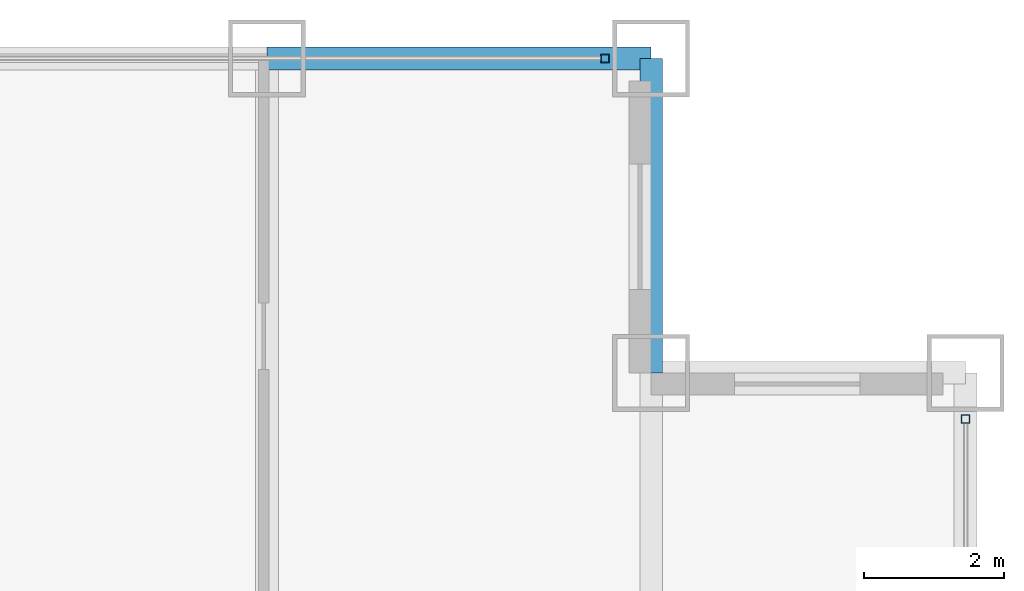
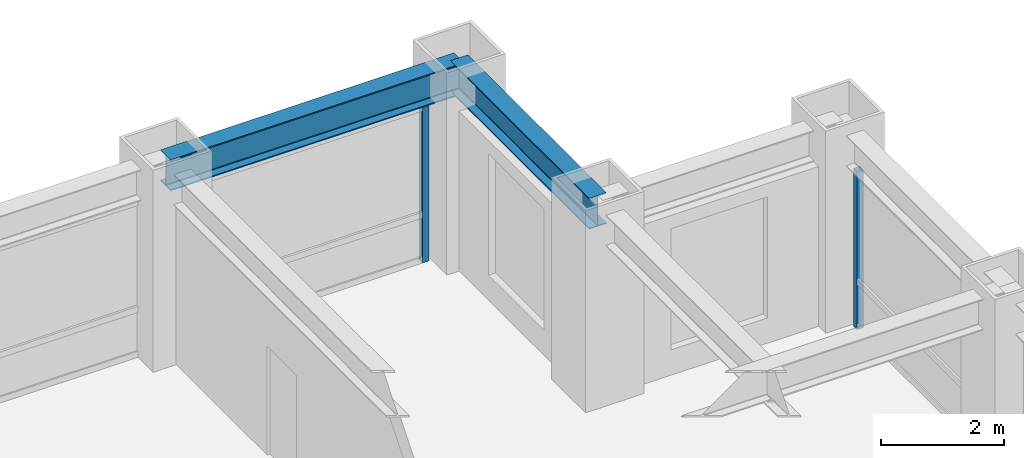
# One storey, part 18 of 24: 2 beams, 2 members, 2 elements without a shape of their own.
"""IFC4 building model written with IfcOpenShell, lengths in metres."""

from ifc_helpers import new_model, si_unit, direction, frame, origin, origin_2d, place, context, subcontext, project, spatial, hollow_rectangle, i_section, extrude, source, transform, mapped, material, material_profile, profile_set, type_object, element, aggregate, save


model = new_model("IFC4")

# Units and contexts
model_context = context("Model", 3, precision=1e-05, world=origin(), true_north=direction((0.0, 1.0)))
body_context = subcontext(model_context, "Body", "Model", "MODEL_VIEW")
ifc_project = project(units=[si_unit("LENGTHUNIT", "METRE"), si_unit("AREAUNIT", "SQUARE_METRE"), si_unit("VOLUMEUNIT", "CUBIC_METRE"), si_unit("PLANEANGLEUNIT", "RADIAN"), si_unit("MASSUNIT", "GRAM", prefix="KILO")], contexts=[model_context])

# Site, building, storey
site_placement = place(None, origin())
site = spatial("IfcSite", under=ifc_project, at=site_placement, CompositionType="ELEMENT")
building_placement = place(site_placement, origin())
building = spatial("IfcBuilding", under=site, at=building_placement, Name="Khorayat Bourse Tower", CompositionType="ELEMENT")
storey_placement = place(building_placement, frame((0.0, 0.0, 167.10009765625)))
storey = spatial("IfcBuildingStorey", under=building, at=storey_placement, Name="L38", CompositionType="ELEMENT", Elevation=167.10009765625)

# Beams
ifc_material_1 = material(Name="Steel ASTM A992 Grade 50", Category="steel")
ifc_material_profile_1 = material_profile(ifc_material_1, i_section(OverallWidth=0.324951171875, OverallDepth=0.615966796875, WebThickness=0.013916015625, FlangeThickness=0.021484375, FilletRadius=0.01611328125, at=origin_2d()), Name="W610X174")
ifc_profile_set_1 = profile_set([ifc_material_profile_1], Name="Steel ASTM A992 Grade 50")
beam_type = type_object("IfcBeamType", Name="BM-SPAN-610", PredefinedType="SPANDREL", material=ifc_profile_set_1)
shared_shape_1 = source(origin(), body_context, "Body", "SweptSolid", [
    extrude(i_section(OverallWidth=0.324951171875, OverallDepth=0.615966796875, WebThickness=0.013916015625, FlangeThickness=0.021484375, FilletRadius=0.01611328125, at=origin_2d()), origin(), (0.0, 0.0, 1.0), 5.5),
])
beam_1_placement = place(storey_placement, frame((20.0, 30.0, 3.471923828125), z_axis=(1.0, 0.0, 0.0), x_axis=(0.0, 1.0, 0.0)))
element("IfcBeam", 1, at=beam_1_placement, inside=storey, type_object=beam_type, Name="L38 BM-SPAN-610 BM-L38-SPN-044", PredefinedType="SPANDREL", context=body_context, shape_type="MappedRepresentation", body=[
    mapped(shared_shape_1, transform((0.0, 0.0, 0.0), scale=1.0)),
])
shared_shape_2 = source(origin(), body_context, "Body", "SweptSolid", [
    extrude(i_section(OverallWidth=0.324951171875, OverallDepth=0.615966796875, WebThickness=0.013916015625, FlangeThickness=0.021484375, FilletRadius=0.01611328125, at=origin_2d()), origin(), (0.0, 0.0, 1.0), 4.5),
])
beam_2_placement = place(storey_placement, frame((25.5, 25.5, 3.471923828125), z_axis=(0.0, 1.0, 0.0), x_axis=(-1.0, 0.0, 0.0)))
element("IfcBeam", 2, at=beam_2_placement, inside=storey, type_object=beam_type, Name="L38 BM-SPAN-610 BM-L38-SPN-043", PredefinedType="SPANDREL", context=body_context, shape_type="MappedRepresentation", body=[
    mapped(shared_shape_2, transform((0.0, 0.0, 0.0), scale=1.0)),
])

# Curtain wall, member
ifc_material_2 = material(Name="Aluminium EN AW-6063 T6", Category="aluminium")
curtain_wall_type = type_object("IfcCurtainWallType", Name="CW-SYS-03", PredefinedType="NOTDEFINED", material=ifc_material_2)
curtain_wall_1_placement = place(storey_placement, origin())
curtain_wall_1 = element("IfcCurtainWall", 3, at=curtain_wall_1_placement, inside=storey, type_object=curtain_wall_type, Name="L38 Curtain Wall CW-L38-N1", PredefinedType="NOTDEFINED")
ifc_material_profile_2 = material_profile(ifc_material_2, hollow_rectangle(XDim=0.1201171875, YDim=0.1201171875, WallThickness=0.0048828125, at=origin_2d()), Name="ALU 120x120x5")
ifc_profile_set_2 = profile_set([ifc_material_profile_2], Name="Aluminium EN AW-6063 T6")
member_type = type_object("IfcMemberType", Name="CWM-VERT-120", PredefinedType="MULLION", material=ifc_profile_set_2)
shared_shape_3 = source(origin(), body_context, "Body", "SweptSolid", [
    extrude(hollow_rectangle(XDim=0.1201171875, YDim=0.1201171875, WallThickness=0.0048828125, at=origin_2d()), origin(), (0.0, 0.0, 1.0), 3.1298828125),
])
member_1_placement = place(storey_placement, frame((24.840087890625, 30.0, 0.0), z_axis=(0.0, 0.0, 1.0), x_axis=(0.0, 1.0, 0.0)))
member_1 = element("IfcMember", 4, at=member_1_placement, type_object=member_type, Name="CW-L38-N1 Vertical Mullion 3", PredefinedType="MULLION", context=body_context, shape_type="MappedRepresentation", body=[
    mapped(shared_shape_3, transform((0.0, 0.0, 0.0), scale=1.0)),
])
aggregate(curtain_wall_1, [member_1])

curtain_wall_2_placement = place(storey_placement, origin())
curtain_wall_2 = element("IfcCurtainWall", 5, at=curtain_wall_2_placement, inside=storey, type_object=curtain_wall_type, Name="L38 Curtain Wall CW-L38-E1", PredefinedType="NOTDEFINED")
member_2_placement = place(storey_placement, frame((30.0, 24.840087890625, 0.0), z_axis=(0.0, 0.0, 1.0), x_axis=(-1.0, 0.0, 0.0)))
member_2 = element("IfcMember", 6, at=member_2_placement, type_object=member_type, Name="CW-L38-E1 Vertical Mullion 3", PredefinedType="MULLION", context=body_context, shape_type="MappedRepresentation", body=[
    mapped(shared_shape_3, transform((0.0, 0.0, 0.0), scale=1.0)),
])
aggregate(curtain_wall_2, [member_2])

save(model, "model.ifc")
